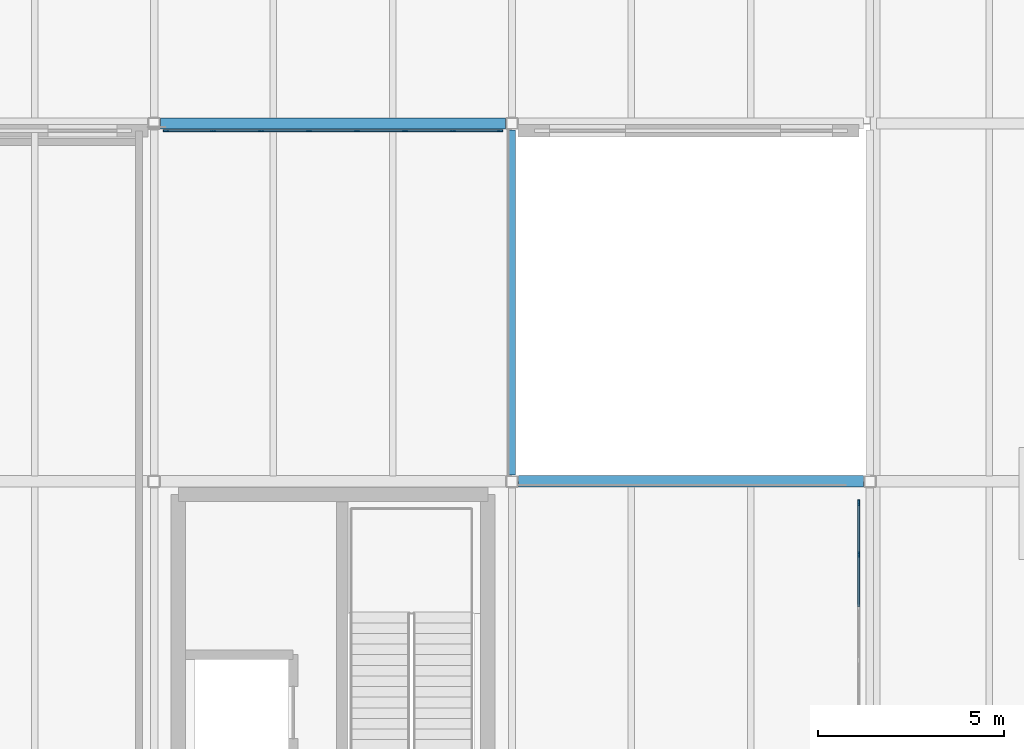
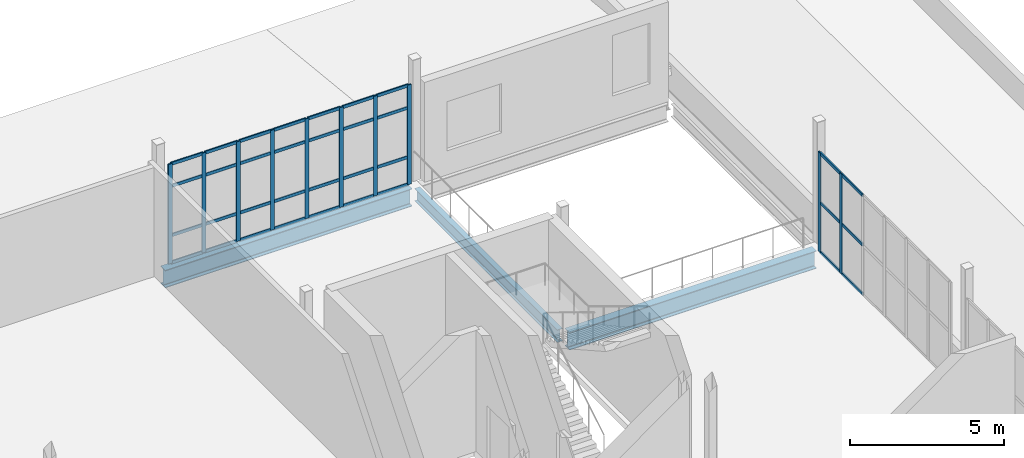
# One storey, part 53 of 112: 44 members, 3 beams, 2 elements without a shape of their own.
"""IFC4 building model written with IfcOpenShell, lengths in metres."""

from ifc_helpers import new_model, si_unit, direction, frame, origin, origin_2d, place, context, subcontext, project, spatial, rectangle, i_section, extrude, material, layer, layer_set, material_profile, profile_set, type_object, element, aggregate, save


model = new_model("IFC4")

# Units and contexts
model_context = context("Model", 3, precision=1e-05, world=origin(), true_north=direction((0.0, 1.0)))
body_context = subcontext(model_context, "Body", "Model", "MODEL_VIEW")
ifc_project = project(units=[si_unit("LENGTHUNIT", "METRE"), si_unit("AREAUNIT", "SQUARE_METRE"), si_unit("VOLUMEUNIT", "CUBIC_METRE"), si_unit("PLANEANGLEUNIT", "RADIAN"), si_unit("MASSUNIT", "GRAM", prefix="KILO")], contexts=[model_context])

# Site, building, storey
site_placement = place(None, origin())
site = spatial("IfcSite", under=ifc_project, at=site_placement, CompositionType="ELEMENT")
building_placement = place(site_placement, origin())
building = spatial("IfcBuilding", under=site, at=building_placement, Name="Yeouljin Market Hall", CompositionType="ELEMENT")
storey_placement = place(building_placement, frame((0.0, 0.0, 6.0)))
storey = spatial("IfcBuildingStorey", under=building, at=storey_placement, Name="L01", CompositionType="ELEMENT", Elevation=6.0)

# Beam
ifc_material_1 = material(Name="Steel SM355", Category="steel")
ifc_material_profile_1 = material_profile(ifc_material_1, i_section(OverallWidth=0.199951171875, OverallDepth=0.5, WebThickness=0.010009765625, FlangeThickness=0.01611328125, FilletRadius=0.02001953125, at=origin_2d()), Name="H-500x200x10x16")
ifc_profile_set_1 = profile_set([ifc_material_profile_1], Name="Steel SM355")
beam_type_1 = type_object("IfcBeamType", Name="Beam_H-500x200x10x16", PredefinedType="BEAM", material=ifc_profile_set_1)
beam_placement = place(storey_placement, frame((112.199951171875, 98.574951171875, -0.510009765625), z_axis=(0.0, 1.0, 0.0), x_axis=(-1.0, 0.0, 0.0)))
element("IfcBeam", 1, at=beam_placement, inside=storey, type_object=beam_type_1, Name="Primary beam BM-L01-Y192", PredefinedType="BEAM", context=body_context, shape_type="SweptSolid", body=[
    extrude(i_section(OverallWidth=0.199951171875, OverallDepth=0.5, WebThickness=0.010009765625, FlangeThickness=0.01611328125, FilletRadius=0.02001953125, at=origin_2d()), origin(), (0.0, 0.0, 1.0), 9.25),
])

# Curtain wall, members
ifc_material_2 = material(Name="Thermally Broken Aluminium", Category="aluminium")
ifc_layer_1 = layer(ifc_material_2, 0.14990234375)
ifc_layer_set_1 = layer_set([ifc_layer_1], Name="Thermally Broken Aluminium")
curtain_wall_type_1 = type_object("IfcCurtainWallType", Name="CW_AcademyRibbon_System", PredefinedType="USERDEFINED", material=ifc_layer_set_1)
curtain_wall_1_placement = place(storey_placement, origin())
curtain_wall_1 = element("IfcCurtainWall", 2, at=curtain_wall_1_placement, inside=storey, type_object=curtain_wall_type_1, Name="Curtain wall CW-L01-W22", ObjectType="CURTAIN WALL", PredefinedType="USERDEFINED")
ifc_material_3 = material(Name="Thermally Broken Aluminium", Category="aluminium")
ifc_material_profile_2 = material_profile(ifc_material_3, rectangle(XDim=0.048095703125, YDim=0.14990234375, at=origin_2d()), Name="CW-MULL-48x150")
ifc_profile_set_2 = profile_set([ifc_material_profile_2], Name="Thermally Broken Aluminium")
member_type_1 = type_object("IfcMemberType", Name="CWMullion_48x150", PredefinedType="MULLION", material=ifc_profile_set_2)
member_1_placement = place(storey_placement, frame((102.924072265625, 107.800048828125, 0.0), z_axis=(0.0, 0.0, 1.0), x_axis=(0.0, 1.0, 0.0)))
member_1 = element("IfcMember", 3, at=member_1_placement, type_object=member_type_1, Name="CW-05 mullion 1", PredefinedType="MULLION", context=body_context, shape_type="SweptSolid", body=[
    extrude(rectangle(XDim=0.048095703125, YDim=0.14990234375, at=origin_2d()), origin(), (0.0, 0.0, 1.0), 3.949951171875),
])
member_2_placement = place(storey_placement, frame((104.185791015625, 107.800048828125, 0.0), z_axis=(0.0, 0.0, 1.0), x_axis=(0.0, 1.0, 0.0)))
member_2 = element("IfcMember", 4, at=member_2_placement, type_object=member_type_1, Name="CW-05 mullion 2", PredefinedType="MULLION", context=body_context, shape_type="SweptSolid", body=[
    extrude(rectangle(XDim=0.048095703125, YDim=0.14990234375, at=origin_2d()), origin(), (0.0, 0.0, 1.0), 3.949951171875),
])
member_3_placement = place(storey_placement, frame((105.471435546875, 107.800048828125, 0.0), z_axis=(0.0, 0.0, 1.0), x_axis=(0.0, 1.0, 0.0)))
member_3 = element("IfcMember", 5, at=member_3_placement, type_object=member_type_1, Name="CW-05 mullion 3", PredefinedType="MULLION", context=body_context, shape_type="SweptSolid", body=[
    extrude(rectangle(XDim=0.048095703125, YDim=0.14990234375, at=origin_2d()), origin(), (0.0, 0.0, 1.0), 3.949951171875),
])
member_4_placement = place(storey_placement, frame((106.757080078125, 107.800048828125, 0.0), z_axis=(0.0, 0.0, 1.0), x_axis=(0.0, 1.0, 0.0)))
member_4 = element("IfcMember", 6, at=member_4_placement, type_object=member_type_1, Name="CW-05 mullion 4", PredefinedType="MULLION", context=body_context, shape_type="SweptSolid", body=[
    extrude(rectangle(XDim=0.048095703125, YDim=0.14990234375, at=origin_2d()), origin(), (0.0, 0.0, 1.0), 3.949951171875),
])
member_5_placement = place(storey_placement, frame((108.04296875, 107.800048828125, 0.0), z_axis=(0.0, 0.0, 1.0), x_axis=(0.0, 1.0, 0.0)))
member_5 = element("IfcMember", 7, at=member_5_placement, type_object=member_type_1, Name="CW-05 mullion 5", PredefinedType="MULLION", context=body_context, shape_type="SweptSolid", body=[
    extrude(rectangle(XDim=0.048095703125, YDim=0.14990234375, at=origin_2d()), origin(), (0.0, 0.0, 1.0), 3.949951171875),
])
member_6_placement = place(storey_placement, frame((109.32861328125, 107.800048828125, 0.0), z_axis=(0.0, 0.0, 1.0), x_axis=(0.0, 1.0, 0.0)))
member_6 = element("IfcMember", 8, at=member_6_placement, type_object=member_type_1, Name="CW-05 mullion 6", PredefinedType="MULLION", context=body_context, shape_type="SweptSolid", body=[
    extrude(rectangle(XDim=0.048095703125, YDim=0.14990234375, at=origin_2d()), origin(), (0.0, 0.0, 1.0), 3.949951171875),
])
member_7_placement = place(storey_placement, frame((110.6142578125, 107.800048828125, 0.0), z_axis=(0.0, 0.0, 1.0), x_axis=(0.0, 1.0, 0.0)))
member_7 = element("IfcMember", 9, at=member_7_placement, type_object=member_type_1, Name="CW-05 mullion 7", PredefinedType="MULLION", context=body_context, shape_type="SweptSolid", body=[
    extrude(rectangle(XDim=0.048095703125, YDim=0.14990234375, at=origin_2d()), origin(), (0.0, 0.0, 1.0), 3.949951171875),
])
member_8_placement = place(storey_placement, frame((111.8759765625, 107.800048828125, 0.0), z_axis=(0.0, 0.0, 1.0), x_axis=(0.0, 1.0, 0.0)))
member_8 = element("IfcMember", 10, at=member_8_placement, type_object=member_type_1, Name="CW-05 mullion 8", PredefinedType="MULLION", context=body_context, shape_type="SweptSolid", body=[
    extrude(rectangle(XDim=0.048095703125, YDim=0.14990234375, at=origin_2d()), origin(), (0.0, 0.0, 1.0), 3.949951171875),
])

ifc_material_4 = material(Name="Thermally Broken Aluminium", Category="aluminium")
ifc_layer_2 = layer(ifc_material_4, 0.14990234375)
ifc_layer_set_2 = layer_set([ifc_layer_2], Name="Thermally Broken Aluminium")
curtain_wall_type_2 = type_object("IfcCurtainWallType", Name="CW_WingStorefront_System", PredefinedType="USERDEFINED", material=ifc_layer_set_2)
curtain_wall_2_placement = place(storey_placement, origin())
curtain_wall_2 = element("IfcCurtainWall", 11, at=curtain_wall_2_placement, inside=storey, type_object=curtain_wall_type_2, Name="Curtain wall CW-CRT-L01-23", ObjectType="CURTAIN WALL", PredefinedType="USERDEFINED")
member_9_placement = place(storey_placement, frame((121.5, 97.825927734375, 0.0), z_axis=(0.0, 0.0, 1.0), x_axis=(1.0, 0.0, 0.0)))
member_9 = element("IfcMember", 12, at=member_9_placement, type_object=member_type_1, Name="CW-04 mullion 1", PredefinedType="MULLION", context=body_context, shape_type="SweptSolid", body=[
    extrude(rectangle(XDim=0.048095703125, YDim=0.14990234375, at=origin_2d()), origin(), (0.0, 0.0, 1.0), 3.949951171875),
])
member_10_placement = place(storey_placement, frame((121.5, 96.433349609375, 0.0), z_axis=(0.0, 0.0, 1.0), x_axis=(1.0, 0.0, 0.0)))
member_10 = element("IfcMember", 13, at=member_10_placement, type_object=member_type_1, Name="CW-04 mullion 2", PredefinedType="MULLION", context=body_context, shape_type="SweptSolid", body=[
    extrude(rectangle(XDim=0.048095703125, YDim=0.14990234375, at=origin_2d()), origin(), (0.0, 0.0, 1.0), 3.949951171875),
])

# Member
ifc_material_5 = material(Name="Thermally Broken Aluminium", Category="aluminium")
ifc_material_profile_3 = material_profile(ifc_material_5, rectangle(XDim=0.048095703125, YDim=0.1201171875, at=origin_2d()), Name="CW-TRAN-48x120")
ifc_profile_set_3 = profile_set([ifc_material_profile_3], Name="Thermally Broken Aluminium")
member_type_2 = type_object("IfcMemberType", Name="CWTransom_48x120", PredefinedType="USERDEFINED", material=ifc_profile_set_3)
member_11_placement = place(storey_placement, frame((102.947998046875, 107.800048828125, 0.02392578125), z_axis=(1.0, 0.0, 0.0), x_axis=(0.0, 1.0, 0.0)))
member_11 = element("IfcMember", 14, at=member_11_placement, type_object=member_type_2, Name="CW-05 transom 1.1", ObjectType="TRANSOM", PredefinedType="USERDEFINED", context=body_context, shape_type="SweptSolid", body=[
    extrude(rectangle(XDim=0.048095703125, YDim=0.1201171875, at=origin_2d()), origin(), (0.0, 0.0, 1.0), 1.213623046875),
])

member_12_placement = place(storey_placement, frame((102.947998046875, 107.800048828125, 1.10009765625), z_axis=(1.0, 0.0, 0.0), x_axis=(0.0, 1.0, 0.0)))
member_12 = element("IfcMember", 15, at=member_12_placement, type_object=member_type_2, Name="CW-05 transom 1.2", ObjectType="TRANSOM", PredefinedType="USERDEFINED", context=body_context, shape_type="SweptSolid", body=[
    extrude(rectangle(XDim=0.048095703125, YDim=0.1201171875, at=origin_2d()), origin(), (0.0, 0.0, 1.0), 1.213623046875),
])

member_13_placement = place(storey_placement, frame((102.947998046875, 107.800048828125, 3.050048828125), z_axis=(1.0, 0.0, 0.0), x_axis=(0.0, 1.0, 0.0)))
member_13 = element("IfcMember", 16, at=member_13_placement, type_object=member_type_2, Name="CW-05 transom 1.3", ObjectType="TRANSOM", PredefinedType="USERDEFINED", context=body_context, shape_type="SweptSolid", body=[
    extrude(rectangle(XDim=0.048095703125, YDim=0.1201171875, at=origin_2d()), origin(), (0.0, 0.0, 1.0), 1.213623046875),
])

member_14_placement = place(storey_placement, frame((102.947998046875, 107.800048828125, 3.926025390625), z_axis=(1.0, 0.0, 0.0), x_axis=(0.0, 1.0, 0.0)))
member_14 = element("IfcMember", 17, at=member_14_placement, type_object=member_type_2, Name="CW-05 transom 1.4", ObjectType="TRANSOM", PredefinedType="USERDEFINED", context=body_context, shape_type="SweptSolid", body=[
    extrude(rectangle(XDim=0.048095703125, YDim=0.1201171875, at=origin_2d()), origin(), (0.0, 0.0, 1.0), 1.213623046875),
])

member_15_placement = place(storey_placement, frame((104.209716796875, 107.800048828125, 0.02392578125), z_axis=(1.0, 0.0, 0.0), x_axis=(0.0, 1.0, 0.0)))
member_15 = element("IfcMember", 18, at=member_15_placement, type_object=member_type_2, Name="CW-05 transom 2.1", ObjectType="TRANSOM", PredefinedType="USERDEFINED", context=body_context, shape_type="SweptSolid", body=[
    extrude(rectangle(XDim=0.048095703125, YDim=0.1201171875, at=origin_2d()), origin(), (0.0, 0.0, 1.0), 1.23779296875),
])

member_16_placement = place(storey_placement, frame((104.209716796875, 107.800048828125, 1.10009765625), z_axis=(1.0, 0.0, 0.0), x_axis=(0.0, 1.0, 0.0)))
member_16 = element("IfcMember", 19, at=member_16_placement, type_object=member_type_2, Name="CW-05 transom 2.2", ObjectType="TRANSOM", PredefinedType="USERDEFINED", context=body_context, shape_type="SweptSolid", body=[
    extrude(rectangle(XDim=0.048095703125, YDim=0.1201171875, at=origin_2d()), origin(), (0.0, 0.0, 1.0), 1.23779296875),
])

member_17_placement = place(storey_placement, frame((104.209716796875, 107.800048828125, 3.050048828125), z_axis=(1.0, 0.0, 0.0), x_axis=(0.0, 1.0, 0.0)))
member_17 = element("IfcMember", 20, at=member_17_placement, type_object=member_type_2, Name="CW-05 transom 2.3", ObjectType="TRANSOM", PredefinedType="USERDEFINED", context=body_context, shape_type="SweptSolid", body=[
    extrude(rectangle(XDim=0.048095703125, YDim=0.1201171875, at=origin_2d()), origin(), (0.0, 0.0, 1.0), 1.23779296875),
])

member_18_placement = place(storey_placement, frame((104.209716796875, 107.800048828125, 3.926025390625), z_axis=(1.0, 0.0, 0.0), x_axis=(0.0, 1.0, 0.0)))
member_18 = element("IfcMember", 21, at=member_18_placement, type_object=member_type_2, Name="CW-05 transom 2.4", ObjectType="TRANSOM", PredefinedType="USERDEFINED", context=body_context, shape_type="SweptSolid", body=[
    extrude(rectangle(XDim=0.048095703125, YDim=0.1201171875, at=origin_2d()), origin(), (0.0, 0.0, 1.0), 1.23779296875),
])

member_19_placement = place(storey_placement, frame((105.495361328125, 107.800048828125, 0.02392578125), z_axis=(1.0, 0.0, 0.0), x_axis=(0.0, 1.0, 0.0)))
member_19 = element("IfcMember", 22, at=member_19_placement, type_object=member_type_2, Name="CW-05 transom 3.1", ObjectType="TRANSOM", PredefinedType="USERDEFINED", context=body_context, shape_type="SweptSolid", body=[
    extrude(rectangle(XDim=0.048095703125, YDim=0.1201171875, at=origin_2d()), origin(), (0.0, 0.0, 1.0), 1.23779296875),
])

member_20_placement = place(storey_placement, frame((105.495361328125, 107.800048828125, 1.10009765625), z_axis=(1.0, 0.0, 0.0), x_axis=(0.0, 1.0, 0.0)))
member_20 = element("IfcMember", 23, at=member_20_placement, type_object=member_type_2, Name="CW-05 transom 3.2", ObjectType="TRANSOM", PredefinedType="USERDEFINED", context=body_context, shape_type="SweptSolid", body=[
    extrude(rectangle(XDim=0.048095703125, YDim=0.1201171875, at=origin_2d()), origin(), (0.0, 0.0, 1.0), 1.23779296875),
])

member_21_placement = place(storey_placement, frame((105.495361328125, 107.800048828125, 3.050048828125), z_axis=(1.0, 0.0, 0.0), x_axis=(0.0, 1.0, 0.0)))
member_21 = element("IfcMember", 24, at=member_21_placement, type_object=member_type_2, Name="CW-05 transom 3.3", ObjectType="TRANSOM", PredefinedType="USERDEFINED", context=body_context, shape_type="SweptSolid", body=[
    extrude(rectangle(XDim=0.048095703125, YDim=0.1201171875, at=origin_2d()), origin(), (0.0, 0.0, 1.0), 1.23779296875),
])

member_22_placement = place(storey_placement, frame((105.495361328125, 107.800048828125, 3.926025390625), z_axis=(1.0, 0.0, 0.0), x_axis=(0.0, 1.0, 0.0)))
member_22 = element("IfcMember", 25, at=member_22_placement, type_object=member_type_2, Name="CW-05 transom 3.4", ObjectType="TRANSOM", PredefinedType="USERDEFINED", context=body_context, shape_type="SweptSolid", body=[
    extrude(rectangle(XDim=0.048095703125, YDim=0.1201171875, at=origin_2d()), origin(), (0.0, 0.0, 1.0), 1.23779296875),
])

member_23_placement = place(storey_placement, frame((106.78125, 107.800048828125, 0.02392578125), z_axis=(1.0, 0.0, 0.0), x_axis=(0.0, 1.0, 0.0)))
member_23 = element("IfcMember", 26, at=member_23_placement, type_object=member_type_2, Name="CW-05 transom 4.1", ObjectType="TRANSOM", PredefinedType="USERDEFINED", context=body_context, shape_type="SweptSolid", body=[
    extrude(rectangle(XDim=0.048095703125, YDim=0.1201171875, at=origin_2d()), origin(), (0.0, 0.0, 1.0), 1.237548828125),
])

member_24_placement = place(storey_placement, frame((106.78125, 107.800048828125, 1.10009765625), z_axis=(1.0, 0.0, 0.0), x_axis=(0.0, 1.0, 0.0)))
member_24 = element("IfcMember", 27, at=member_24_placement, type_object=member_type_2, Name="CW-05 transom 4.2", ObjectType="TRANSOM", PredefinedType="USERDEFINED", context=body_context, shape_type="SweptSolid", body=[
    extrude(rectangle(XDim=0.048095703125, YDim=0.1201171875, at=origin_2d()), origin(), (0.0, 0.0, 1.0), 1.237548828125),
])

member_25_placement = place(storey_placement, frame((106.78125, 107.800048828125, 3.050048828125), z_axis=(1.0, 0.0, 0.0), x_axis=(0.0, 1.0, 0.0)))
member_25 = element("IfcMember", 28, at=member_25_placement, type_object=member_type_2, Name="CW-05 transom 4.3", ObjectType="TRANSOM", PredefinedType="USERDEFINED", context=body_context, shape_type="SweptSolid", body=[
    extrude(rectangle(XDim=0.048095703125, YDim=0.1201171875, at=origin_2d()), origin(), (0.0, 0.0, 1.0), 1.237548828125),
])

member_26_placement = place(storey_placement, frame((106.78125, 107.800048828125, 3.926025390625), z_axis=(1.0, 0.0, 0.0), x_axis=(0.0, 1.0, 0.0)))
member_26 = element("IfcMember", 29, at=member_26_placement, type_object=member_type_2, Name="CW-05 transom 4.4", ObjectType="TRANSOM", PredefinedType="USERDEFINED", context=body_context, shape_type="SweptSolid", body=[
    extrude(rectangle(XDim=0.048095703125, YDim=0.1201171875, at=origin_2d()), origin(), (0.0, 0.0, 1.0), 1.237548828125),
])

member_27_placement = place(storey_placement, frame((108.06689453125, 107.800048828125, 0.02392578125), z_axis=(1.0, 0.0, 0.0), x_axis=(0.0, 1.0, 0.0)))
member_27 = element("IfcMember", 30, at=member_27_placement, type_object=member_type_2, Name="CW-05 transom 5.1", ObjectType="TRANSOM", PredefinedType="USERDEFINED", context=body_context, shape_type="SweptSolid", body=[
    extrude(rectangle(XDim=0.048095703125, YDim=0.1201171875, at=origin_2d()), origin(), (0.0, 0.0, 1.0), 1.23779296875),
])

member_28_placement = place(storey_placement, frame((108.06689453125, 107.800048828125, 1.10009765625), z_axis=(1.0, 0.0, 0.0), x_axis=(0.0, 1.0, 0.0)))
member_28 = element("IfcMember", 31, at=member_28_placement, type_object=member_type_2, Name="CW-05 transom 5.2", ObjectType="TRANSOM", PredefinedType="USERDEFINED", context=body_context, shape_type="SweptSolid", body=[
    extrude(rectangle(XDim=0.048095703125, YDim=0.1201171875, at=origin_2d()), origin(), (0.0, 0.0, 1.0), 1.23779296875),
])

member_29_placement = place(storey_placement, frame((108.06689453125, 107.800048828125, 3.050048828125), z_axis=(1.0, 0.0, 0.0), x_axis=(0.0, 1.0, 0.0)))
member_29 = element("IfcMember", 32, at=member_29_placement, type_object=member_type_2, Name="CW-05 transom 5.3", ObjectType="TRANSOM", PredefinedType="USERDEFINED", context=body_context, shape_type="SweptSolid", body=[
    extrude(rectangle(XDim=0.048095703125, YDim=0.1201171875, at=origin_2d()), origin(), (0.0, 0.0, 1.0), 1.23779296875),
])

member_30_placement = place(storey_placement, frame((108.06689453125, 107.800048828125, 3.926025390625), z_axis=(1.0, 0.0, 0.0), x_axis=(0.0, 1.0, 0.0)))
member_30 = element("IfcMember", 33, at=member_30_placement, type_object=member_type_2, Name="CW-05 transom 5.4", ObjectType="TRANSOM", PredefinedType="USERDEFINED", context=body_context, shape_type="SweptSolid", body=[
    extrude(rectangle(XDim=0.048095703125, YDim=0.1201171875, at=origin_2d()), origin(), (0.0, 0.0, 1.0), 1.23779296875),
])

member_31_placement = place(storey_placement, frame((109.3525390625, 107.800048828125, 0.02392578125), z_axis=(1.0, 0.0, 0.0), x_axis=(0.0, 1.0, 0.0)))
member_31 = element("IfcMember", 34, at=member_31_placement, type_object=member_type_2, Name="CW-05 transom 6.1", ObjectType="TRANSOM", PredefinedType="USERDEFINED", context=body_context, shape_type="SweptSolid", body=[
    extrude(rectangle(XDim=0.048095703125, YDim=0.1201171875, at=origin_2d()), origin(), (0.0, 0.0, 1.0), 1.23779296875),
])

member_32_placement = place(storey_placement, frame((109.3525390625, 107.800048828125, 1.10009765625), z_axis=(1.0, 0.0, 0.0), x_axis=(0.0, 1.0, 0.0)))
member_32 = element("IfcMember", 35, at=member_32_placement, type_object=member_type_2, Name="CW-05 transom 6.2", ObjectType="TRANSOM", PredefinedType="USERDEFINED", context=body_context, shape_type="SweptSolid", body=[
    extrude(rectangle(XDim=0.048095703125, YDim=0.1201171875, at=origin_2d()), origin(), (0.0, 0.0, 1.0), 1.23779296875),
])

member_33_placement = place(storey_placement, frame((109.3525390625, 107.800048828125, 3.050048828125), z_axis=(1.0, 0.0, 0.0), x_axis=(0.0, 1.0, 0.0)))
member_33 = element("IfcMember", 36, at=member_33_placement, type_object=member_type_2, Name="CW-05 transom 6.3", ObjectType="TRANSOM", PredefinedType="USERDEFINED", context=body_context, shape_type="SweptSolid", body=[
    extrude(rectangle(XDim=0.048095703125, YDim=0.1201171875, at=origin_2d()), origin(), (0.0, 0.0, 1.0), 1.23779296875),
])

member_34_placement = place(storey_placement, frame((109.3525390625, 107.800048828125, 3.926025390625), z_axis=(1.0, 0.0, 0.0), x_axis=(0.0, 1.0, 0.0)))
member_34 = element("IfcMember", 37, at=member_34_placement, type_object=member_type_2, Name="CW-05 transom 6.4", ObjectType="TRANSOM", PredefinedType="USERDEFINED", context=body_context, shape_type="SweptSolid", body=[
    extrude(rectangle(XDim=0.048095703125, YDim=0.1201171875, at=origin_2d()), origin(), (0.0, 0.0, 1.0), 1.23779296875),
])

member_35_placement = place(storey_placement, frame((110.63818359375, 107.800048828125, 0.02392578125), z_axis=(1.0, 0.0, 0.0), x_axis=(0.0, 1.0, 0.0)))
member_35 = element("IfcMember", 38, at=member_35_placement, type_object=member_type_2, Name="CW-05 transom 7.1", ObjectType="TRANSOM", PredefinedType="USERDEFINED", context=body_context, shape_type="SweptSolid", body=[
    extrude(rectangle(XDim=0.048095703125, YDim=0.1201171875, at=origin_2d()), origin(), (0.0, 0.0, 1.0), 1.2138671875),
])

member_36_placement = place(storey_placement, frame((110.63818359375, 107.800048828125, 1.10009765625), z_axis=(1.0, 0.0, 0.0), x_axis=(0.0, 1.0, 0.0)))
member_36 = element("IfcMember", 39, at=member_36_placement, type_object=member_type_2, Name="CW-05 transom 7.2", ObjectType="TRANSOM", PredefinedType="USERDEFINED", context=body_context, shape_type="SweptSolid", body=[
    extrude(rectangle(XDim=0.048095703125, YDim=0.1201171875, at=origin_2d()), origin(), (0.0, 0.0, 1.0), 1.2138671875),
])

member_37_placement = place(storey_placement, frame((110.63818359375, 107.800048828125, 3.050048828125), z_axis=(1.0, 0.0, 0.0), x_axis=(0.0, 1.0, 0.0)))
member_37 = element("IfcMember", 40, at=member_37_placement, type_object=member_type_2, Name="CW-05 transom 7.3", ObjectType="TRANSOM", PredefinedType="USERDEFINED", context=body_context, shape_type="SweptSolid", body=[
    extrude(rectangle(XDim=0.048095703125, YDim=0.1201171875, at=origin_2d()), origin(), (0.0, 0.0, 1.0), 1.2138671875),
])

member_38_placement = place(storey_placement, frame((110.63818359375, 107.800048828125, 3.926025390625), z_axis=(1.0, 0.0, 0.0), x_axis=(0.0, 1.0, 0.0)))
member_38 = element("IfcMember", 41, at=member_38_placement, type_object=member_type_2, Name="CW-05 transom 7.4", ObjectType="TRANSOM", PredefinedType="USERDEFINED", context=body_context, shape_type="SweptSolid", body=[
    extrude(rectangle(XDim=0.048095703125, YDim=0.1201171875, at=origin_2d()), origin(), (0.0, 0.0, 1.0), 1.2138671875),
])

aggregate(curtain_wall_1, [member_1, member_2, member_3, member_4, member_5, member_6, member_7, member_8, member_11, member_12, member_13, member_14, member_15, member_16, member_17, member_18, member_19, member_20, member_21, member_22, member_23, member_24, member_25, member_26, member_27, member_28, member_29, member_30, member_31, member_32, member_33, member_34, member_35, member_36, member_37, member_38])

member_39_placement = place(storey_placement, frame((121.5, 97.802001953125, 0.02392578125), z_axis=(0.0, -1.0, 0.0), x_axis=(1.0, 0.0, 0.0)))
member_39 = element("IfcMember", 42, at=member_39_placement, type_object=member_type_2, Name="CW-04 transom 1.1", ObjectType="TRANSOM", PredefinedType="USERDEFINED", context=body_context, shape_type="SweptSolid", body=[
    extrude(rectangle(XDim=0.048095703125, YDim=0.1201171875, at=origin_2d()), origin(), (0.0, 0.0, 1.0), 1.3447265625),
])

member_40_placement = place(storey_placement, frame((121.5, 97.802001953125, 1.97509765625), z_axis=(0.0, -1.0, 0.0), x_axis=(1.0, 0.0, 0.0)))
member_40 = element("IfcMember", 43, at=member_40_placement, type_object=member_type_2, Name="CW-04 transom 1.2", ObjectType="TRANSOM", PredefinedType="USERDEFINED", context=body_context, shape_type="SweptSolid", body=[
    extrude(rectangle(XDim=0.048095703125, YDim=0.1201171875, at=origin_2d()), origin(), (0.0, 0.0, 1.0), 1.3447265625),
])

member_41_placement = place(storey_placement, frame((121.5, 97.802001953125, 3.926025390625), z_axis=(0.0, -1.0, 0.0), x_axis=(1.0, 0.0, 0.0)))
member_41 = element("IfcMember", 44, at=member_41_placement, type_object=member_type_2, Name="CW-04 transom 1.3", ObjectType="TRANSOM", PredefinedType="USERDEFINED", context=body_context, shape_type="SweptSolid", body=[
    extrude(rectangle(XDim=0.048095703125, YDim=0.1201171875, at=origin_2d()), origin(), (0.0, 0.0, 1.0), 1.3447265625),
])

member_42_placement = place(storey_placement, frame((121.5, 96.409423828125, 0.02392578125), z_axis=(0.0, -1.0, 0.0), x_axis=(1.0, 0.0, 0.0)))
member_42 = element("IfcMember", 45, at=member_42_placement, type_object=member_type_2, Name="CW-04 transom 2.1", ObjectType="TRANSOM", PredefinedType="USERDEFINED", context=body_context, shape_type="SweptSolid", body=[
    extrude(rectangle(XDim=0.048095703125, YDim=0.1201171875, at=origin_2d()), origin(), (0.0, 0.0, 1.0), 1.36865234375),
])

member_43_placement = place(storey_placement, frame((121.5, 96.409423828125, 1.97509765625), z_axis=(0.0, -1.0, 0.0), x_axis=(1.0, 0.0, 0.0)))
member_43 = element("IfcMember", 46, at=member_43_placement, type_object=member_type_2, Name="CW-04 transom 2.2", ObjectType="TRANSOM", PredefinedType="USERDEFINED", context=body_context, shape_type="SweptSolid", body=[
    extrude(rectangle(XDim=0.048095703125, YDim=0.1201171875, at=origin_2d()), origin(), (0.0, 0.0, 1.0), 1.36865234375),
])

member_44_placement = place(storey_placement, frame((121.5, 96.409423828125, 3.926025390625), z_axis=(0.0, -1.0, 0.0), x_axis=(1.0, 0.0, 0.0)))
member_44 = element("IfcMember", 47, at=member_44_placement, type_object=member_type_2, Name="CW-04 transom 2.3", ObjectType="TRANSOM", PredefinedType="USERDEFINED", context=body_context, shape_type="SweptSolid", body=[
    extrude(rectangle(XDim=0.048095703125, YDim=0.1201171875, at=origin_2d()), origin(), (0.0, 0.0, 1.0), 1.36865234375),
])

aggregate(curtain_wall_2, [member_9, member_10, member_39, member_40, member_41, member_42, member_43, member_44])

# Beams
ifc_material_6 = material(Name="Steel SM355", Category="steel")
ifc_material_profile_4 = material_profile(ifc_material_6, i_section(OverallWidth=0.300048828125, OverallDepth=0.699951171875, WebThickness=0.012939453125, FlangeThickness=0.02392578125, FilletRadius=0.02587890625, at=origin_2d()), Name="H-700x300x13x24")
ifc_profile_set_4 = profile_set([ifc_material_profile_4], Name="Steel SM355")
beam_type_2 = type_object("IfcBeamType", Name="Girder_H-700x300x13x24", PredefinedType="USERDEFINED", material=ifc_profile_set_4)
for number, where, z_axis, x_axis, name in (
    (48, (112.375, 98.39990234375, -0.610107421875), (1.0, 0.0, 0.0), (0.0, 1.0, 0.0), "Primary girder GRD-L01-X113"),
    (49, (102.77490234375, 108.0, -0.610107421875), (1.0, 0.0, 0.0), (0.0, 1.0, 0.0), "Primary girder GRD-L01-X120"),
):
    element("IfcBeam", number, at=place(storey_placement, frame(where, z_axis=z_axis, x_axis=x_axis)), inside=storey, type_object=beam_type_2, Name=name, ObjectType="GIRDER", PredefinedType="USERDEFINED", context=body_context, shape_type="SweptSolid", body=[
        extrude(i_section(OverallWidth=0.300048828125, OverallDepth=0.699951171875, WebThickness=0.012939453125, FlangeThickness=0.02392578125, FilletRadius=0.02587890625, at=origin_2d()), origin(), (0.0, 0.0, 1.0), 9.25),
    ])

save(model, "model.ifc")
